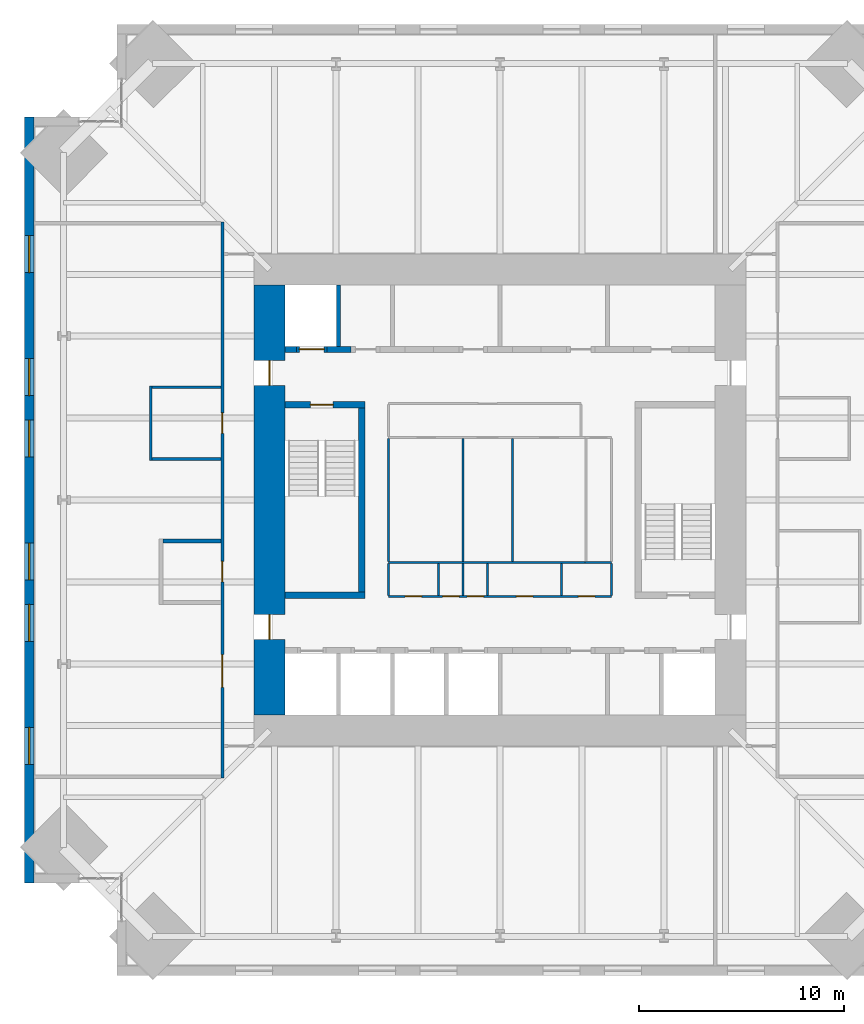
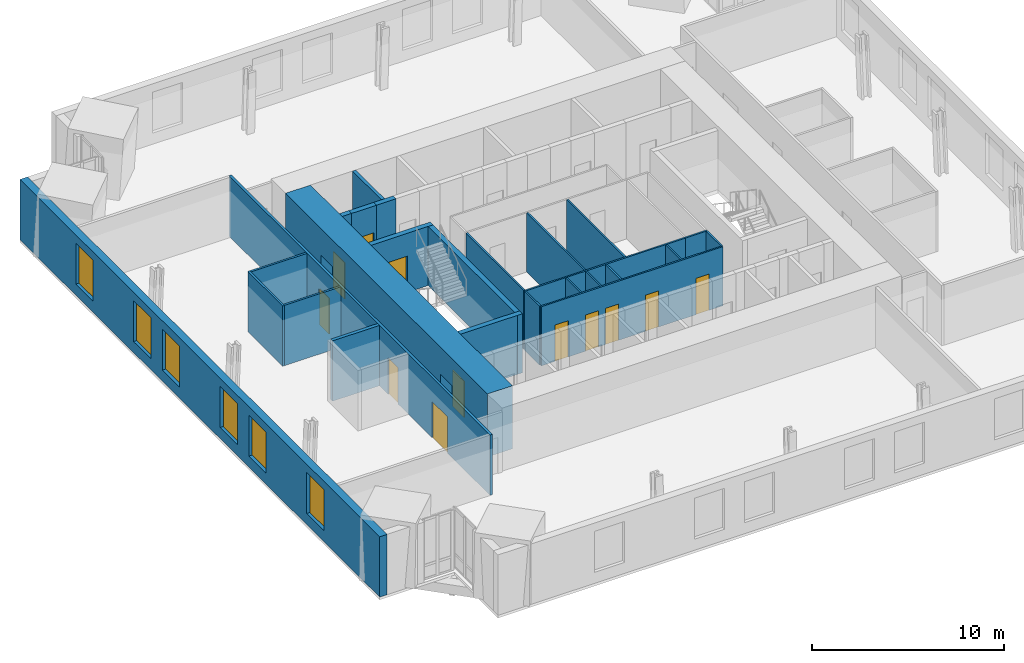
# One storey, part 11 of 15: 26 walls, 12 doors, 6 windows, 18 openings.
"""IFC4 building model written with IfcOpenShell, lengths in metres."""

from ifc_helpers import new_model, si_unit, direction, frame, frame_2d, origin, place, context, subcontext, project, spatial, rectangle, extrude, material, layer, layer_set, type_object, element, fill, save


model = new_model("IFC4")

# Units and contexts
model_context = context("Model", 3, precision=1e-05, world=origin(), true_north=direction((0.0, 1.0)))
body_context = subcontext(model_context, "Body", "Model", "MODEL_VIEW")
ifc_project = project(units=[si_unit("LENGTHUNIT", "METRE"), si_unit("AREAUNIT", "SQUARE_METRE"), si_unit("VOLUMEUNIT", "CUBIC_METRE"), si_unit("PLANEANGLEUNIT", "RADIAN"), si_unit("MASSUNIT", "GRAM", prefix="KILO")], contexts=[model_context])

# Site, building, storey
site_placement = place(None, origin())
site = spatial("IfcSite", under=ifc_project, at=site_placement, CompositionType="ELEMENT")
building_placement = place(site_placement, origin())
building = spatial("IfcBuilding", under=site, at=building_placement, Name="Peilmerk Tower", CompositionType="ELEMENT")
storey_placement = place(building_placement, frame((0.0, 0.0, 237.800048828125)))
storey = spatial("IfcBuildingStorey", under=building, at=storey_placement, Name="L52", CompositionType="ELEMENT", Elevation=237.800048828125)

# Wall, openings, windows
ifc_material_1 = material(Name="Precast concrete C45/55, board-marked finish", Category="concrete")
ifc_layer_1 = layer(ifc_material_1, 0.449951171875)
ifc_layer_set_1 = layer_set([ifc_layer_1], Name="Precast concrete C45/55, board-marked finish")
wall_type_1 = type_object("IfcWallType", Name="EW1 450 precast concrete facade wall, board-marked", PredefinedType="SOLIDWALL", material=ifc_layer_set_1)
wall_1_placement = place(storey_placement, frame((-22.97509765625, 18.699951171875, 0.0), z_axis=(0.0, 0.0, 1.0), x_axis=(0.0, -1.0, 0.0)))
wall_1 = element("IfcWall", 1, at=wall_1_placement, inside=storey, type_object=wall_type_1, Name="Facade wall W L52", PredefinedType="SOLIDWALL", context=body_context, shape_type="SweptSolid", body=[
    extrude(rectangle(XDim=37.39990234375, YDim=0.449951171875, at=frame_2d((18.699951171875, 0.0))), origin(), (0.0, 0.0, 1.0), 3.829833984375),
])
opening_1_placement = place(wall_1_placement, frame((5.800048828125, 0.0, 0.699951171875)))
opening_1 = element("IfcOpeningElement", 2, at=opening_1_placement, cuts=wall_1, Name="Opening W1", PredefinedType="OPENING", context=body_context, shape_type="SweptSolid", body=[
    extrude(rectangle(XDim=1.800048828125, YDim=2.60009765625, at=frame_2d((0.89990234375, 1.300048828125))), frame((0.0, 0.23486328125, 0.0), z_axis=(0.0, -1.0, 0.0), x_axis=(1.0, 0.0, 0.0)), (0.0, 0.0, 1.0), 0.469970703125),
])
opening_2_placement = place(wall_1_placement, frame((11.800048828125, 0.0, 0.699951171875)))
opening_2 = element("IfcOpeningElement", 3, at=opening_2_placement, cuts=wall_1, Name="Opening W1", PredefinedType="OPENING", context=body_context, shape_type="SweptSolid", body=[
    extrude(rectangle(XDim=1.800048828125, YDim=2.60009765625, at=frame_2d((0.89990234375, 1.300048828125))), frame((0.0, 0.23486328125, 0.0), z_axis=(0.0, -1.0, 0.0), x_axis=(1.0, 0.0, 0.0)), (0.0, 0.0, 1.0), 0.469970703125),
])
opening_3_placement = place(wall_1_placement, frame((14.800048828125, 0.0, 0.699951171875)))
opening_3 = element("IfcOpeningElement", 4, at=opening_3_placement, cuts=wall_1, Name="Opening W1", PredefinedType="OPENING", context=body_context, shape_type="SweptSolid", body=[
    extrude(rectangle(XDim=1.800048828125, YDim=2.60009765625, at=frame_2d((0.89990234375, 1.300048828125))), frame((0.0, 0.23486328125, 0.0), z_axis=(0.0, -1.0, 0.0), x_axis=(1.0, 0.0, 0.0)), (0.0, 0.0, 1.0), 0.469970703125),
])
opening_4_placement = place(wall_1_placement, frame((20.800048828125, 0.0, 0.699951171875)))
opening_4 = element("IfcOpeningElement", 5, at=opening_4_placement, cuts=wall_1, Name="Opening W1", PredefinedType="OPENING", context=body_context, shape_type="SweptSolid", body=[
    extrude(rectangle(XDim=1.800048828125, YDim=2.60009765625, at=frame_2d((0.89990234375, 1.300048828125))), frame((0.0, 0.23486328125, 0.0), z_axis=(0.0, -1.0, 0.0), x_axis=(1.0, 0.0, 0.0)), (0.0, 0.0, 1.0), 0.469970703125),
])
opening_5_placement = place(wall_1_placement, frame((23.800048828125, 0.0, 0.699951171875)))
opening_5 = element("IfcOpeningElement", 6, at=opening_5_placement, cuts=wall_1, Name="Opening W1", PredefinedType="OPENING", context=body_context, shape_type="SweptSolid", body=[
    extrude(rectangle(XDim=1.800048828125, YDim=2.60009765625, at=frame_2d((0.89990234375, 1.300048828125))), frame((0.0, 0.23486328125, 0.0), z_axis=(0.0, -1.0, 0.0), x_axis=(1.0, 0.0, 0.0)), (0.0, 0.0, 1.0), 0.469970703125),
])
opening_6_placement = place(wall_1_placement, frame((29.800048828125, 0.0, 0.699951171875)))
opening_6 = element("IfcOpeningElement", 7, at=opening_6_placement, cuts=wall_1, Name="Opening W1", PredefinedType="OPENING", context=body_context, shape_type="SweptSolid", body=[
    extrude(rectangle(XDim=1.800048828125, YDim=2.60009765625, at=frame_2d((0.89990234375, 1.300048828125))), frame((0.0, 0.23486328125, 0.0), z_axis=(0.0, -1.0, 0.0), x_axis=(1.0, 0.0, 0.0)), (0.0, 0.0, 1.0), 0.469970703125),
])
ifc_material_2 = material(Name="Aluminium frame, clear double glazing", Category="aluminium")
window_type = type_object("IfcWindowType", Name="W1 1800x2600 office window", PartitioningType="SINGLE_PANEL", PredefinedType="WINDOW", material=ifc_material_2)
window_1_placement = place(opening_1_placement, origin())
window_1 = element("IfcWindow", 8, at=window_1_placement, inside=storey, type_object=window_type, Name="Window W1 L52", OverallHeight=2.60009765625, OverallWidth=1.800048828125, PartitioningType="SINGLE_PANEL", PredefinedType="WINDOW", context=body_context, shape_type="SweptSolid", body=[
    extrude(rectangle(XDim=1.800048828125, YDim=2.60009765625, at=frame_2d((0.89990234375, 1.300048828125))), frame((0.0, 0.030029296875, 0.0), z_axis=(0.0, -1.0, 0.0), x_axis=(1.0, 0.0, 0.0)), (0.0, 0.0, 1.0), 0.06005859375),
])
fill(opening_1, window_1)
window_2_placement = place(opening_2_placement, origin())
window_2 = element("IfcWindow", 9, at=window_2_placement, inside=storey, type_object=window_type, Name="Window W1 L52", OverallHeight=2.60009765625, OverallWidth=1.800048828125, PartitioningType="SINGLE_PANEL", PredefinedType="WINDOW", context=body_context, shape_type="SweptSolid", body=[
    extrude(rectangle(XDim=1.800048828125, YDim=2.60009765625, at=frame_2d((0.89990234375, 1.300048828125))), frame((0.0, 0.030029296875, 0.0), z_axis=(0.0, -1.0, 0.0), x_axis=(1.0, 0.0, 0.0)), (0.0, 0.0, 1.0), 0.06005859375),
])
fill(opening_2, window_2)
window_3_placement = place(opening_3_placement, origin())
window_3 = element("IfcWindow", 10, at=window_3_placement, inside=storey, type_object=window_type, Name="Window W1 L52", OverallHeight=2.60009765625, OverallWidth=1.800048828125, PartitioningType="SINGLE_PANEL", PredefinedType="WINDOW", context=body_context, shape_type="SweptSolid", body=[
    extrude(rectangle(XDim=1.800048828125, YDim=2.60009765625, at=frame_2d((0.89990234375, 1.300048828125))), frame((0.0, 0.030029296875, 0.0), z_axis=(0.0, -1.0, 0.0), x_axis=(1.0, 0.0, 0.0)), (0.0, 0.0, 1.0), 0.06005859375),
])
fill(opening_3, window_3)
window_4_placement = place(opening_4_placement, origin())
window_4 = element("IfcWindow", 11, at=window_4_placement, inside=storey, type_object=window_type, Name="Window W1 L52", OverallHeight=2.60009765625, OverallWidth=1.800048828125, PartitioningType="SINGLE_PANEL", PredefinedType="WINDOW", context=body_context, shape_type="SweptSolid", body=[
    extrude(rectangle(XDim=1.800048828125, YDim=2.60009765625, at=frame_2d((0.89990234375, 1.300048828125))), frame((0.0, 0.030029296875, 0.0), z_axis=(0.0, -1.0, 0.0), x_axis=(1.0, 0.0, 0.0)), (0.0, 0.0, 1.0), 0.06005859375),
])
fill(opening_4, window_4)
window_5_placement = place(opening_5_placement, origin())
window_5 = element("IfcWindow", 12, at=window_5_placement, inside=storey, type_object=window_type, Name="Window W1 L52", OverallHeight=2.60009765625, OverallWidth=1.800048828125, PartitioningType="SINGLE_PANEL", PredefinedType="WINDOW", context=body_context, shape_type="SweptSolid", body=[
    extrude(rectangle(XDim=1.800048828125, YDim=2.60009765625, at=frame_2d((0.89990234375, 1.300048828125))), frame((0.0, 0.030029296875, 0.0), z_axis=(0.0, -1.0, 0.0), x_axis=(1.0, 0.0, 0.0)), (0.0, 0.0, 1.0), 0.06005859375),
])
fill(opening_5, window_5)
window_6_placement = place(opening_6_placement, origin())
window_6 = element("IfcWindow", 13, at=window_6_placement, inside=storey, type_object=window_type, Name="Window W1 L52", OverallHeight=2.60009765625, OverallWidth=1.800048828125, PartitioningType="SINGLE_PANEL", PredefinedType="WINDOW", context=body_context, shape_type="SweptSolid", body=[
    extrude(rectangle(XDim=1.800048828125, YDim=2.60009765625, at=frame_2d((0.89990234375, 1.300048828125))), frame((0.0, 0.030029296875, 0.0), z_axis=(0.0, -1.0, 0.0), x_axis=(1.0, 0.0, 0.0)), (0.0, 0.0, 1.0), 0.06005859375),
])
fill(opening_6, window_6)

# Wall, openings, doors
ifc_material_3 = material(Name="Calcium silicate block", Category="masonry")
ifc_layer_2 = layer(ifc_material_3, 0.14990234375)
ifc_layer_set_2 = layer_set([ifc_layer_2], Name="Calcium silicate block")
wall_type_2 = type_object("IfcWallType", Name="IW1 150 corridor partition, EI 60", PredefinedType="PARTITIONING", material=ifc_layer_set_2)
wall_2_placement = place(storey_placement, frame((-13.550048828125, 13.574951171875, 0.0), z_axis=(0.0, 0.0, 1.0), x_axis=(0.0, -1.0, 0.0)))
wall_2 = element("IfcWall", 14, at=wall_2_placement, inside=storey, type_object=wall_type_2, Name="Corridor wall W L52", PredefinedType="PARTITIONING", context=body_context, shape_type="SweptSolid", body=[
    extrude(rectangle(XDim=27.14990234375, YDim=0.14990234375, at=frame_2d((13.574951171875, 0.0))), origin(), (0.0, 0.0, 1.0), 3.829833984375),
])
opening_7_placement = place(wall_2_placement, frame((21.125, 0.0, 0.0)))
opening_7 = element("IfcOpeningElement", 15, at=opening_7_placement, cuts=wall_2, Name="Opening D9", PredefinedType="OPENING", context=body_context, shape_type="SweptSolid", body=[
    extrude(rectangle(XDim=1.60009765625, YDim=2.300048828125, at=frame_2d((0.800048828125, 1.14990234375))), frame((0.0, 0.0849609375, 0.0), z_axis=(0.0, -1.0, 0.0), x_axis=(1.0, 0.0, 0.0)), (0.0, 0.0, 1.0), 0.169921875),
])
opening_8_placement = place(wall_2_placement, frame((16.574951171875, 0.0, 0.0)))
opening_8 = element("IfcOpeningElement", 16, at=opening_8_placement, cuts=wall_2, Name="Opening D1", PredefinedType="OPENING", context=body_context, shape_type="SweptSolid", body=[
    extrude(rectangle(XDim=1.0, YDim=2.300048828125, at=frame_2d((0.5, 1.14990234375))), frame((0.0, 0.0849609375, 0.0), z_axis=(0.0, -1.0, 0.0), x_axis=(1.0, 0.0, 0.0)), (0.0, 0.0, 1.0), 0.169921875),
])
opening_9_placement = place(wall_2_placement, frame((9.324951171875, 0.0, 0.0)))
opening_9 = element("IfcOpeningElement", 17, at=opening_9_placement, cuts=wall_2, Name="Opening D1", PredefinedType="OPENING", context=body_context, shape_type="SweptSolid", body=[
    extrude(rectangle(XDim=1.0, YDim=2.300048828125, at=frame_2d((0.5, 1.14990234375))), frame((0.0, 0.0849609375, 0.0), z_axis=(0.0, -1.0, 0.0), x_axis=(1.0, 0.0, 0.0)), (0.0, 0.0, 1.0), 0.169921875),
])
ifc_material_4 = material(Name="Timber door in steel frame", Category="steel")
door_type_1 = type_object("IfcDoorType", Name="D1 1000x2300 room door, EI2 30", OperationType="SINGLE_SWING_LEFT", PredefinedType="DOOR", material=ifc_material_4)
door_1_placement = place(opening_8_placement, frame((1.0, 0.0, 0.0), z_axis=(0.0, 0.0, 1.0), x_axis=(-1.0, 0.0, 0.0)))
door_1 = element("IfcDoor", 18, at=door_1_placement, inside=storey, type_object=door_type_1, Name="Door Print room L52", OperationType="SINGLE_SWING_LEFT", OverallHeight=2.300048828125, OverallWidth=1.0, PredefinedType="DOOR", context=body_context, shape_type="SweptSolid", body=[
    extrude(rectangle(XDim=1.0, YDim=2.300048828125, at=frame_2d((0.5, 1.14990234375))), frame((0.0, 0.02490234375, 0.0), z_axis=(0.0, -1.0, 0.0), x_axis=(1.0, 0.0, 0.0)), (0.0, 0.0, 1.0), 0.050048828125),
])
fill(opening_8, door_1)
door_2_placement = place(opening_9_placement, frame((1.0, 0.0, 0.0), z_axis=(0.0, 0.0, 1.0), x_axis=(-1.0, 0.0, 0.0)))
door_2 = element("IfcDoor", 19, at=door_2_placement, inside=storey, type_object=door_type_1, Name="Door Pantry L52", OperationType="SINGLE_SWING_LEFT", OverallHeight=2.300048828125, OverallWidth=1.0, PredefinedType="DOOR", context=body_context, shape_type="SweptSolid", body=[
    extrude(rectangle(XDim=1.0, YDim=2.300048828125, at=frame_2d((0.5, 1.14990234375))), frame((0.0, 0.02490234375, 0.0), z_axis=(0.0, -1.0, 0.0), x_axis=(1.0, 0.0, 0.0)), (0.0, 0.0, 1.0), 0.050048828125),
])
fill(opening_9, door_2)
ifc_material_5 = material(Name="Glazed timber door in steel frame", Category="steel")
door_type_2 = type_object("IfcDoorType", Name="D9 1600x2300 glazed double door, EI2 30", OperationType="DOUBLE_DOOR_SINGLE_SWING", PredefinedType="DOOR", material=ifc_material_5)
door_3_placement = place(opening_7_placement, frame((1.60009765625, 0.0, 0.0), z_axis=(0.0, 0.0, 1.0), x_axis=(-1.0, 0.0, 0.0)))
door_3 = element("IfcDoor", 20, at=door_3_placement, inside=storey, type_object=door_type_2, Name="Door Open workspace L52", OperationType="DOUBLE_DOOR_SINGLE_SWING", OverallHeight=2.300048828125, OverallWidth=1.60009765625, PredefinedType="DOOR", context=body_context, shape_type="SweptSolid", body=[
    extrude(rectangle(XDim=1.60009765625, YDim=2.300048828125, at=frame_2d((0.800048828125, 1.14990234375))), frame((0.0, 0.02490234375, 0.0), z_axis=(0.0, -1.0, 0.0), x_axis=(1.0, 0.0, 0.0)), (0.0, 0.0, 1.0), 0.050048828125),
])
fill(opening_7, door_3)

# Walls
ifc_layer_3 = layer(ifc_material_3, 0.199951171875)
ifc_layer_set_3 = layer_set([ifc_layer_3], Name="Calcium silicate block")
wall_type_3 = type_object("IfcWallType", Name="IW2 200 room separating wall, EI 120", PredefinedType="PARTITIONING", material=ifc_layer_set_3)
wall_3_placement = place(storey_placement, frame((-13.625, -2.0, 0.0), z_axis=(0.0, 0.0, 1.0), x_axis=(-1.0, 0.0, 0.0)))
element("IfcWall", 21, at=wall_3_placement, inside=storey, type_object=wall_type_3, Name="Room separating wall Print room L52", PredefinedType="PARTITIONING", context=body_context, shape_type="SweptSolid", body=[
    extrude(rectangle(XDim=2.824951171875, YDim=0.199951171875, at=frame_2d((1.41259765625, 0.0))), origin(), (0.0, 0.0, 1.0), 3.829833984375),
])
ifc_material_6 = material(Name="Concrete C35/45", Category="concrete")
ifc_layer_4 = layer(ifc_material_6, 0.300048828125)
ifc_layer_set_4 = layer_set([ifc_layer_4], Name="Concrete C35/45")
wall_type_4 = type_object("IfcWallType", Name="IW3 300 concrete stair enclosure wall, EI 120", PredefinedType="SOLIDWALL", material=ifc_layer_set_4)
wall_4_placement = place(storey_placement, frame((-6.75, -4.800048828125, 0.0), z_axis=(0.0, 0.0, 1.0), x_axis=(0.0, 1.0, 0.0)))
element("IfcWall", 22, at=wall_4_placement, inside=storey, type_object=wall_type_4, Name="Stair 1 enclosure L52", PredefinedType="SOLIDWALL", context=body_context, shape_type="SweptSolid", body=[
    extrude(rectangle(XDim=9.60009765625, YDim=0.300048828125, at=frame_2d((4.800048828125, 0.0))), origin(), (0.0, 0.0, 1.0), 3.75),
])

# Wall, opening, door
wall_5_placement = place(storey_placement, frame((-10.5, 4.64990234375, 0.0), z_axis=(0.0, 0.0, 1.0), x_axis=(1.0, 0.0, 0.0)))
wall_5 = element("IfcWall", 23, at=wall_5_placement, inside=storey, type_object=wall_type_4, Name="Stair 1 enclosure L52", PredefinedType="SOLIDWALL", context=body_context, shape_type="SweptSolid", body=[
    extrude(rectangle(XDim=3.89990234375, YDim=0.300048828125, at=frame_2d((1.949951171875, 0.0))), origin(), (0.0, 0.0, 1.0), 3.75),
])
opening_10_placement = place(wall_5_placement, frame((1.25, 0.0, 0.0)))
opening_10 = element("IfcOpeningElement", 24, at=opening_10_placement, cuts=wall_5, Name="Opening D4", PredefinedType="OPENING", context=body_context, shape_type="SweptSolid", body=[
    extrude(rectangle(XDim=1.10009765625, YDim=2.300048828125, at=frame_2d((0.550048828125, 1.14990234375))), frame((0.0, 0.159912109375, 0.0), z_axis=(0.0, -1.0, 0.0), x_axis=(1.0, 0.0, 0.0)), (0.0, 0.0, 1.0), 0.320068359375),
])
ifc_material_7 = material(Name="Steel door in steel frame", Category="steel")
door_type_3 = type_object("IfcDoorType", Name="D4 1100x2300 stair door, EI2 60", OperationType="SINGLE_SWING_RIGHT", PredefinedType="DOOR", material=ifc_material_7)
door_4_placement = place(opening_10_placement, frame((1.10009765625, 0.0, 0.0), z_axis=(0.0, 0.0, 1.0), x_axis=(-1.0, 0.0, 0.0)))
door_4 = element("IfcDoor", 25, at=door_4_placement, inside=storey, type_object=door_type_3, Name="Stair 1 door L52", OperationType="SINGLE_SWING_RIGHT", OverallHeight=2.300048828125, OverallWidth=1.10009765625, PredefinedType="DOOR", context=body_context, shape_type="SweptSolid", body=[
    extrude(rectangle(XDim=1.10009765625, YDim=2.300048828125, at=frame_2d((0.550048828125, 1.14990234375))), frame((0.0, 0.02490234375, 0.0), z_axis=(0.0, -1.0, 0.0), x_axis=(1.0, 0.0, 0.0)), (0.0, 0.0, 1.0), 0.050048828125),
])
fill(opening_10, door_4)

# Walls
wall_6_placement = place(storey_placement, frame((-6.60009765625, -4.64990234375, 0.0), z_axis=(0.0, 0.0, 1.0), x_axis=(-1.0, 0.0, 0.0)))
element("IfcWall", 26, at=wall_6_placement, inside=storey, type_object=wall_type_4, Name="Stair 1 enclosure L52", PredefinedType="SOLIDWALL", context=body_context, shape_type="SweptSolid", body=[
    extrude(rectangle(XDim=3.89990234375, YDim=0.300048828125, at=frame_2d((1.949951171875, 0.0))), origin(), (0.0, 0.0, 1.0), 3.75),
])
ifc_material_8 = material(Name="Plasterboard on steel studs", Category="steel")
ifc_layer_5 = layer(ifc_material_8, 0.10009765625)
ifc_layer_set_5 = layer_set([ifc_layer_5], Name="Plasterboard on steel studs")
wall_type_5 = type_object("IfcWallType", Name="IW4 100 WC partition", PredefinedType="PARTITIONING", material=ifc_layer_set_5)
wall_7_placement = place(storey_placement, frame((4.14990234375, -3.050048828125, 0.0), z_axis=(0.0, 0.0, 1.0), x_axis=(-1.0, 0.0, 0.0)))
element("IfcWall", 27, at=wall_7_placement, inside=storey, type_object=wall_type_5, Name="WC wall L52", PredefinedType="PARTITIONING", context=body_context, shape_type="SweptSolid", body=[
    extrude(rectangle(XDim=9.599853515625, YDim=0.10009765625, at=frame_2d((4.7998046875, 0.0))), origin(), (0.0, 0.0, 1.0), 3.75),
])
for number, where, z_axis, x_axis, name in (
    (28, (-5.449951171875, -3.0, 0.0), (0.0, 0.0, 1.0), (0.0, 1.0, 0.0), "WC wall L52"),
    (29, (-1.800048828125, -3.0, 0.0), (0.0, 0.0, 1.0), (0.0, 1.0, 0.0), "WC wall L52"),
    (30, (0.60009765625, -3.0, 0.0), (0.0, 0.0, 1.0), (0.0, 1.0, 0.0), "WC wall L52"),
):
    element("IfcWall", number, at=place(storey_placement, frame(where, z_axis=z_axis, x_axis=x_axis)), inside=storey, type_object=wall_type_5, Name=name, PredefinedType="PARTITIONING", context=body_context, shape_type="SweptSolid", body=[
        extrude(rectangle(XDim=6.0, YDim=0.10009765625, at=frame_2d((3.0, 0.0))), origin(), (0.0, 0.0, 1.0), 3.75),
    ])
ifc_material_9 = material(Name="Calcium silicate board on steel studs", Category="steel")
ifc_layer_6 = layer(ifc_material_9, 0.10009765625)
ifc_layer_set_6 = layer_set([ifc_layer_6], Name="Calcium silicate board on steel studs")
wall_type_6 = type_object("IfcWallType", Name="IW5 100 riser enclosure wall, EI 60", PredefinedType="PARTITIONING", material=ifc_layer_set_6)
wall_8_placement = place(storey_placement, frame((5.449951171875, -3.050048828125, 0.0), z_axis=(0.0, 0.0, 1.0), x_axis=(-1.0, 0.0, 0.0)))
element("IfcWall", 31, at=wall_8_placement, inside=storey, type_object=wall_type_6, Name="Riser wall L52", PredefinedType="PARTITIONING", context=body_context, shape_type="SweptSolid", body=[
    extrude(rectangle(XDim=1.300048828125, YDim=0.10009765625, at=frame_2d((0.64990234375, 0.0))), origin(), (0.0, 0.0, 1.0), 3.75),
])

# Wall, openings, doors
wall_9_placement = place(storey_placement, frame((5.449951171875, -4.699951171875, 0.0), z_axis=(0.0, 0.0, 1.0), x_axis=(-1.0, 0.0, 0.0)))
wall_9 = element("IfcWall", 32, at=wall_9_placement, inside=storey, type_object=wall_type_6, Name="Riser wall L52", PredefinedType="PARTITIONING", context=body_context, shape_type="SweptSolid", body=[
    extrude(rectangle(XDim=10.89990234375, YDim=0.10009765625, at=frame_2d((5.449951171875, 0.0))), origin(), (0.0, 0.0, 1.0), 3.75),
])
opening_11_placement = place(wall_9_placement, frame((9.27490234375, 0.0, 0.0)))
opening_11 = element("IfcOpeningElement", 33, at=opening_11_placement, cuts=wall_9, Name="Opening D7", PredefinedType="OPENING", context=body_context, shape_type="SweptSolid", body=[
    extrude(rectangle(XDim=0.800048828125, YDim=2.300048828125, at=frame_2d((0.39990234375, 1.14990234375))), frame((0.0, 0.06005859375, 0.0), z_axis=(0.0, -1.0, 0.0), x_axis=(1.0, 0.0, 0.0)), (0.0, 0.0, 1.0), 0.1201171875),
])
opening_12_placement = place(wall_9_placement, frame((7.449951171875, 0.0, 0.0)))
opening_12 = element("IfcOpeningElement", 34, at=opening_12_placement, cuts=wall_9, Name="Opening D7", PredefinedType="OPENING", context=body_context, shape_type="SweptSolid", body=[
    extrude(rectangle(XDim=0.800048828125, YDim=2.300048828125, at=frame_2d((0.39990234375, 1.14990234375))), frame((0.0, 0.06005859375, 0.0), z_axis=(0.0, -1.0, 0.0), x_axis=(1.0, 0.0, 0.0)), (0.0, 0.0, 1.0), 0.1201171875),
])
opening_13_placement = place(wall_9_placement, frame((6.25, 0.0, 0.0)))
opening_13 = element("IfcOpeningElement", 35, at=opening_13_placement, cuts=wall_9, Name="Opening D7", PredefinedType="OPENING", context=body_context, shape_type="SweptSolid", body=[
    extrude(rectangle(XDim=0.800048828125, YDim=2.300048828125, at=frame_2d((0.39990234375, 1.14990234375))), frame((0.0, 0.06005859375, 0.0), z_axis=(0.0, -1.0, 0.0), x_axis=(1.0, 0.0, 0.0)), (0.0, 0.0, 1.0), 0.1201171875),
])
opening_14_placement = place(wall_9_placement, frame((3.85009765625, 0.0, 0.0)))
opening_14 = element("IfcOpeningElement", 36, at=opening_14_placement, cuts=wall_9, Name="Opening D7", PredefinedType="OPENING", context=body_context, shape_type="SweptSolid", body=[
    extrude(rectangle(XDim=0.800048828125, YDim=2.300048828125, at=frame_2d((0.39990234375, 1.14990234375))), frame((0.0, 0.06005859375, 0.0), z_axis=(0.0, -1.0, 0.0), x_axis=(1.0, 0.0, 0.0)), (0.0, 0.0, 1.0), 0.1201171875),
])
opening_15_placement = place(wall_9_placement, frame((0.824951171875, 0.0, 0.0)))
opening_15 = element("IfcOpeningElement", 37, at=opening_15_placement, cuts=wall_9, Name="Opening D7", PredefinedType="OPENING", context=body_context, shape_type="SweptSolid", body=[
    extrude(rectangle(XDim=0.800048828125, YDim=2.300048828125, at=frame_2d((0.39990234375, 1.14990234375))), frame((0.0, 0.06005859375, 0.0), z_axis=(0.0, -1.0, 0.0), x_axis=(1.0, 0.0, 0.0)), (0.0, 0.0, 1.0), 0.1201171875),
])
door_type_4 = type_object("IfcDoorType", Name="D7 800x2300 riser access door, EI2 60", OperationType="SINGLE_SWING_RIGHT", PredefinedType="DOOR", material=ifc_material_7)
door_5_placement = place(opening_11_placement, frame((0.800048828125, 0.0, 0.0), z_axis=(0.0, 0.0, 1.0), x_axis=(-1.0, 0.0, 0.0)))
door_5 = element("IfcDoor", 38, at=door_5_placement, inside=storey, type_object=door_type_4, Name="Cleaner's cupboard door L52", OperationType="SINGLE_SWING_RIGHT", OverallHeight=2.300048828125, OverallWidth=0.800048828125, PredefinedType="DOOR", context=body_context, shape_type="SweptSolid", body=[
    extrude(rectangle(XDim=0.800048828125, YDim=2.300048828125, at=frame_2d((0.39990234375, 1.14990234375))), frame((0.0, 0.02490234375, 0.0), z_axis=(0.0, -1.0, 0.0), x_axis=(1.0, 0.0, 0.0)), (0.0, 0.0, 1.0), 0.050048828125),
])
fill(opening_11, door_5)
door_6_placement = place(opening_12_placement, frame((0.800048828125, 0.0, 0.0), z_axis=(0.0, 0.0, 1.0), x_axis=(-1.0, 0.0, 0.0)))
door_6 = element("IfcDoor", 39, at=door_6_placement, inside=storey, type_object=door_type_4, Name="Electrical riser door L52", OperationType="SINGLE_SWING_RIGHT", OverallHeight=2.300048828125, OverallWidth=0.800048828125, PredefinedType="DOOR", context=body_context, shape_type="SweptSolid", body=[
    extrude(rectangle(XDim=0.800048828125, YDim=2.300048828125, at=frame_2d((0.39990234375, 1.14990234375))), frame((0.0, 0.02490234375, 0.0), z_axis=(0.0, -1.0, 0.0), x_axis=(1.0, 0.0, 0.0)), (0.0, 0.0, 1.0), 0.050048828125),
])
fill(opening_12, door_6)
door_7_placement = place(opening_13_placement, frame((0.800048828125, 0.0, 0.0), z_axis=(0.0, 0.0, 1.0), x_axis=(-1.0, 0.0, 0.0)))
door_7 = element("IfcDoor", 40, at=door_7_placement, inside=storey, type_object=door_type_4, Name="Data riser door L52", OperationType="SINGLE_SWING_RIGHT", OverallHeight=2.300048828125, OverallWidth=0.800048828125, PredefinedType="DOOR", context=body_context, shape_type="SweptSolid", body=[
    extrude(rectangle(XDim=0.800048828125, YDim=2.300048828125, at=frame_2d((0.39990234375, 1.14990234375))), frame((0.0, 0.02490234375, 0.0), z_axis=(0.0, -1.0, 0.0), x_axis=(1.0, 0.0, 0.0)), (0.0, 0.0, 1.0), 0.050048828125),
])
fill(opening_13, door_7)
door_8_placement = place(opening_14_placement, frame((0.800048828125, 0.0, 0.0), z_axis=(0.0, 0.0, 1.0), x_axis=(-1.0, 0.0, 0.0)))
door_8 = element("IfcDoor", 41, at=door_8_placement, inside=storey, type_object=door_type_4, Name="Comms room door L52", OperationType="SINGLE_SWING_RIGHT", OverallHeight=2.300048828125, OverallWidth=0.800048828125, PredefinedType="DOOR", context=body_context, shape_type="SweptSolid", body=[
    extrude(rectangle(XDim=0.800048828125, YDim=2.300048828125, at=frame_2d((0.39990234375, 1.14990234375))), frame((0.0, 0.02490234375, 0.0), z_axis=(0.0, -1.0, 0.0), x_axis=(1.0, 0.0, 0.0)), (0.0, 0.0, 1.0), 0.050048828125),
])
fill(opening_14, door_8)
door_9_placement = place(opening_15_placement, frame((0.800048828125, 0.0, 0.0), z_axis=(0.0, 0.0, 1.0), x_axis=(-1.0, 0.0, 0.0)))
door_9 = element("IfcDoor", 42, at=door_9_placement, inside=storey, type_object=door_type_4, Name="Water meter room door L52", OperationType="SINGLE_SWING_RIGHT", OverallHeight=2.300048828125, OverallWidth=0.800048828125, PredefinedType="DOOR", context=body_context, shape_type="SweptSolid", body=[
    extrude(rectangle(XDim=0.800048828125, YDim=2.300048828125, at=frame_2d((0.39990234375, 1.14990234375))), frame((0.0, 0.02490234375, 0.0), z_axis=(0.0, -1.0, 0.0), x_axis=(1.0, 0.0, 0.0)), (0.0, 0.0, 1.0), 0.050048828125),
])
fill(opening_15, door_9)

# Walls
for number, where, z_axis, x_axis, name in (
    (43, (-5.449951171875, -3.10009765625, 0.0), (0.0, 0.0, 1.0), (0.0, -1.0, 0.0), "Riser wall L52"),
    (44, (5.449951171875, -3.10009765625, 0.0), (0.0, 0.0, 1.0), (0.0, -1.0, 0.0), "Riser wall L52"),
    (45, (-3.0, -3.10009765625, 0.0), (0.0, 0.0, 1.0), (0.0, -1.0, 0.0), "Riser wall L52"),
    (46, (-1.800048828125, -3.10009765625, 0.0), (0.0, 0.0, 1.0), (0.0, -1.0, 0.0), "Riser wall L52"),
    (47, (-0.60009765625, -3.10009765625, 0.0), (0.0, 0.0, 1.0), (0.0, -1.0, 0.0), "Riser wall L52"),
    (48, (3.0, -3.10009765625, 0.0), (0.0, 0.0, 1.0), (0.0, -1.0, 0.0), "Riser wall L52"),
):
    element("IfcWall", number, at=place(storey_placement, frame(where, z_axis=z_axis, x_axis=x_axis)), inside=storey, type_object=wall_type_6, Name=name, PredefinedType="PARTITIONING", context=body_context, shape_type="SweptSolid", body=[
        extrude(rectangle(XDim=1.5498046875, YDim=0.10009765625, at=frame_2d((0.77490234375, 0.0))), origin(), (0.0, 0.0, 1.0), 3.75),
    ])
ifc_material_10 = material(Name="Plasterboard on steel studs, double boarded with mineral wool", Category="steel")
ifc_layer_7 = layer(ifc_material_10, 0.125)
ifc_layer_set_7 = layer_set([ifc_layer_7], Name="Plasterboard on steel studs, double boarded with mineral wool")
wall_type_7 = type_object("IfcWallType", Name="IW7 125 acoustic partition, EI 30", PredefinedType="PARTITIONING", material=ifc_layer_set_7)
wall_10_placement = place(storey_placement, frame((-17.050048828125, 1.9375, 0.0), z_axis=(0.0, 0.0, 1.0), x_axis=(0.0, 1.0, 0.0)))
element("IfcWall", 49, at=wall_10_placement, inside=storey, type_object=wall_type_7, Name="Acoustic partition Pantry L52", PredefinedType="PARTITIONING", context=body_context, shape_type="SweptSolid", body=[
    extrude(rectangle(XDim=3.625, YDim=0.125, at=frame_2d((1.8125, 0.0))), origin(), (0.0, 0.0, 1.0), 3.829833984375),
])
for number, where, z_axis, x_axis, name in (
    (50, (-13.625, 2.0, 0.0), (0.0, 0.0, 1.0), (-1.0, 0.0, 0.0), "Acoustic partition Pantry L52"),
    (51, (-13.625, 5.5, 0.0), (0.0, 0.0, 1.0), (-1.0, 0.0, 0.0), "Acoustic partition Pantry L52"),
):
    element("IfcWall", number, at=place(storey_placement, frame(where, z_axis=z_axis, x_axis=x_axis)), inside=storey, type_object=wall_type_7, Name=name, PredefinedType="PARTITIONING", context=body_context, shape_type="SweptSolid", body=[
        extrude(rectangle(XDim=3.362548828125, YDim=0.125, at=frame_2d((1.68115234375, 0.0))), origin(), (0.0, 0.0, 1.0), 3.829833984375),
    ])
ifc_layer_8 = layer(ifc_material_3, 0.199951171875)
ifc_layer_set_8 = layer_set([ifc_layer_8], Name="Calcium silicate block")
wall_type_8 = type_object("IfcWallType", Name="SH1 200 shaft dividing wall, EI 120", PredefinedType="PARTITIONING", material=ifc_layer_set_8)
wall_11_placement = place(storey_placement, frame((-7.875, 7.5, 0.0), z_axis=(0.0, 0.0, 1.0), x_axis=(0.0, 1.0, 0.0)))
element("IfcWall", 52, at=wall_11_placement, inside=storey, type_object=wall_type_8, Name="Shaft wall N FL1 L52", PredefinedType="PARTITIONING", context=body_context, shape_type="SweptSolid", body=[
    extrude(rectangle(XDim=3.0, YDim=0.199951171875, at=frame_2d((1.5, 0.0))), origin(), (0.0, 0.0, 1.0), 4.0),
])

# Wall, opening, door
ifc_layer_9 = layer(ifc_material_3, 0.300048828125)
ifc_layer_set_9 = layer_set([ifc_layer_9], Name="Calcium silicate block")
wall_type_9 = type_object("IfcWallType", Name="SH2 300 lift landing door panel, EI 120", PredefinedType="PARTITIONING", material=ifc_layer_set_9)
wall_12_placement = place(storey_placement, frame((-9.9375, 7.35009765625, 0.0), z_axis=(0.0, 0.0, 1.0), x_axis=(1.0, 0.0, 0.0)))
wall_12 = element("IfcWall", 53, at=wall_12_placement, inside=storey, type_object=wall_type_9, Name="Lift door panel N FL1 L52", PredefinedType="PARTITIONING", context=body_context, shape_type="SweptSolid", body=[
    extrude(rectangle(XDim=1.5, YDim=0.300048828125, at=frame_2d((0.75, 0.0))), origin(), (0.0, 0.0, 1.0), 4.0),
])
opening_16_placement = place(wall_12_placement, frame((0.14990234375, 0.0, 0.0)))
opening_16 = element("IfcOpeningElement", 54, at=opening_16_placement, cuts=wall_12, Name="Opening LD2", PredefinedType="OPENING", context=body_context, shape_type="SweptSolid", body=[
    extrude(rectangle(XDim=1.199951171875, YDim=2.300048828125, at=frame_2d((0.60009765625, 1.14990234375))), frame((0.0, 0.159912109375, 0.0), z_axis=(0.0, -1.0, 0.0), x_axis=(1.0, 0.0, 0.0)), (0.0, 0.0, 1.0), 0.320068359375),
])
ifc_material_11 = material(Name="Stainless steel landing door", Category="steel")
door_type_5 = type_object("IfcDoorType", Name="LD2 1200x2300 lift landing door, sliding, EI2 60", OperationType="SLIDING_TO_LEFT", PredefinedType="DOOR", material=ifc_material_11)
door_10_placement = place(opening_16_placement, frame((1.199951171875, 0.0, 0.0), z_axis=(0.0, 0.0, 1.0), x_axis=(-1.0, 0.0, 0.0)))
door_10 = element("IfcDoor", 55, at=door_10_placement, inside=storey, type_object=door_type_5, Name="Lift landing door FL1 L52", OperationType="SLIDING_TO_LEFT", OverallHeight=2.300048828125, OverallWidth=1.199951171875, PredefinedType="DOOR", context=body_context, shape_type="SweptSolid", body=[
    extrude(rectangle(XDim=1.199951171875, YDim=2.300048828125, at=frame_2d((0.60009765625, 1.14990234375))), frame((0.0, 0.02490234375, 0.0), z_axis=(0.0, -1.0, 0.0), x_axis=(1.0, 0.0, 0.0)), (0.0, 0.0, 1.0), 0.050048828125),
])
fill(opening_16, door_10)

# Wall, openings, doors
ifc_material_12 = material(Name="Concrete C55/67", Category="concrete")
ifc_layer_10 = layer(ifc_material_12, 1.5)
ifc_layer_set_10 = layer_set([ifc_layer_10], Name="Concrete C55/67")
wall_type_10 = type_object("IfcWallType", Name="SW1 1500 core wall", PredefinedType="SHEAR", material=ifc_layer_set_10)
wall_13_placement = place(storey_placement, frame((-11.25, -10.5, 0.0), z_axis=(0.0, 0.0, 1.0), x_axis=(0.0, 1.0, 0.0)))
wall_13 = element("IfcWall", 56, at=wall_13_placement, inside=storey, type_object=wall_type_10, Name="Core wall W L52", PredefinedType="SHEAR", context=body_context, shape_type="SweptSolid", body=[
    extrude(rectangle(XDim=21.0, YDim=1.5, at=frame_2d((10.5, 0.0))), origin(), (0.0, 0.0, 1.0), 4.0),
])
opening_17_placement = place(wall_13_placement, frame((16.10009765625, 0.0, 0.0)))
opening_17 = element("IfcOpeningElement", 57, at=opening_17_placement, cuts=wall_13, Name="Opening D3", PredefinedType="OPENING", context=body_context, shape_type="SweptSolid", body=[
    extrude(rectangle(XDim=1.199951171875, YDim=2.300048828125, at=frame_2d((0.60009765625, 1.14990234375))), frame((0.0, 0.760009765625, 0.0), z_axis=(0.0, -1.0, 0.0), x_axis=(1.0, 0.0, 0.0)), (0.0, 0.0, 1.0), 1.52001953125),
])
opening_18_placement = place(wall_13_placement, frame((3.699951171875, 0.0, 0.0)))
opening_18 = element("IfcOpeningElement", 58, at=opening_18_placement, cuts=wall_13, Name="Opening D3", PredefinedType="OPENING", context=body_context, shape_type="SweptSolid", body=[
    extrude(rectangle(XDim=1.199951171875, YDim=2.300048828125, at=frame_2d((0.60009765625, 1.14990234375))), frame((0.0, 0.760009765625, 0.0), z_axis=(0.0, -1.0, 0.0), x_axis=(1.0, 0.0, 0.0)), (0.0, 0.0, 1.0), 1.52001953125),
])
door_type_6 = type_object("IfcDoorType", Name="D3 1200x2300 core door, EI2 60", OperationType="SINGLE_SWING_LEFT", PredefinedType="DOOR", material=ifc_material_7)
door_11_placement = place(opening_17_placement, frame((1.199951171875, 0.0, 0.0), z_axis=(0.0, 0.0, 1.0), x_axis=(-1.0, 0.0, 0.0)))
door_11 = element("IfcDoor", 59, at=door_11_placement, inside=storey, type_object=door_type_6, Name="Core door L52", OperationType="SINGLE_SWING_LEFT", OverallHeight=2.300048828125, OverallWidth=1.199951171875, PredefinedType="DOOR", context=body_context, shape_type="SweptSolid", body=[
    extrude(rectangle(XDim=1.199951171875, YDim=2.300048828125, at=frame_2d((0.60009765625, 1.14990234375))), frame((0.0, 0.02490234375, 0.0), z_axis=(0.0, -1.0, 0.0), x_axis=(1.0, 0.0, 0.0)), (0.0, 0.0, 1.0), 0.050048828125),
])
fill(opening_17, door_11)
door_12_placement = place(opening_18_placement, frame((1.199951171875, 0.0, 0.0), z_axis=(0.0, 0.0, 1.0), x_axis=(-1.0, 0.0, 0.0)))
door_12 = element("IfcDoor", 60, at=door_12_placement, inside=storey, type_object=door_type_6, Name="Core door L52", OperationType="SINGLE_SWING_LEFT", OverallHeight=2.300048828125, OverallWidth=1.199951171875, PredefinedType="DOOR", context=body_context, shape_type="SweptSolid", body=[
    extrude(rectangle(XDim=1.199951171875, YDim=2.300048828125, at=frame_2d((0.60009765625, 1.14990234375))), frame((0.0, 0.02490234375, 0.0), z_axis=(0.0, -1.0, 0.0), x_axis=(1.0, 0.0, 0.0)), (0.0, 0.0, 1.0), 0.050048828125),
])
fill(opening_18, door_12)

# Walls
ifc_layer_11 = layer(ifc_material_12, 0.300048828125)
ifc_layer_set_11 = layer_set([ifc_layer_11], Name="Concrete C55/67")
wall_type_11 = type_object("IfcWallType", Name="SW2 300 lift bank pier", PredefinedType="SHEAR", material=ifc_layer_set_11)
wall_14_placement = place(storey_placement, frame((-10.5, 7.35009765625, 0.0), z_axis=(0.0, 0.0, 1.0), x_axis=(1.0, 0.0, 0.0)))
element("IfcWall", 61, at=wall_14_placement, inside=storey, type_object=wall_type_11, Name="Lift bank pier N L52", PredefinedType="SHEAR", context=body_context, shape_type="SweptSolid", body=[
    extrude(rectangle(XDim=0.5625, YDim=0.300048828125, at=frame_2d((0.28125, 0.0))), origin(), (0.0, 0.0, 1.0), 4.0),
])
wall_15_placement = place(storey_placement, frame((-8.4375, 7.35009765625, 0.0), z_axis=(0.0, 0.0, 1.0), x_axis=(1.0, 0.0, 0.0)))
element("IfcWall", 62, at=wall_15_placement, inside=storey, type_object=wall_type_11, Name="Lift bank pier N L52", PredefinedType="SHEAR", context=body_context, shape_type="SweptSolid", body=[
    extrude(rectangle(XDim=1.175048828125, YDim=0.300048828125, at=frame_2d((0.58740234375, 0.0))), origin(), (0.0, 0.0, 1.0), 4.0),
])

save(model, "model.ifc")
